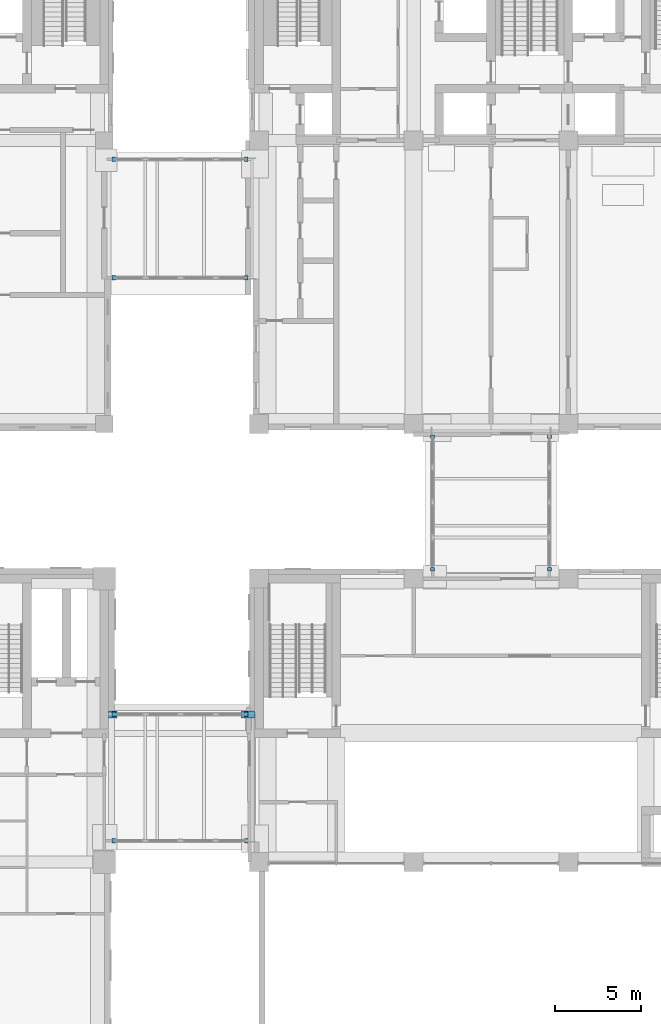
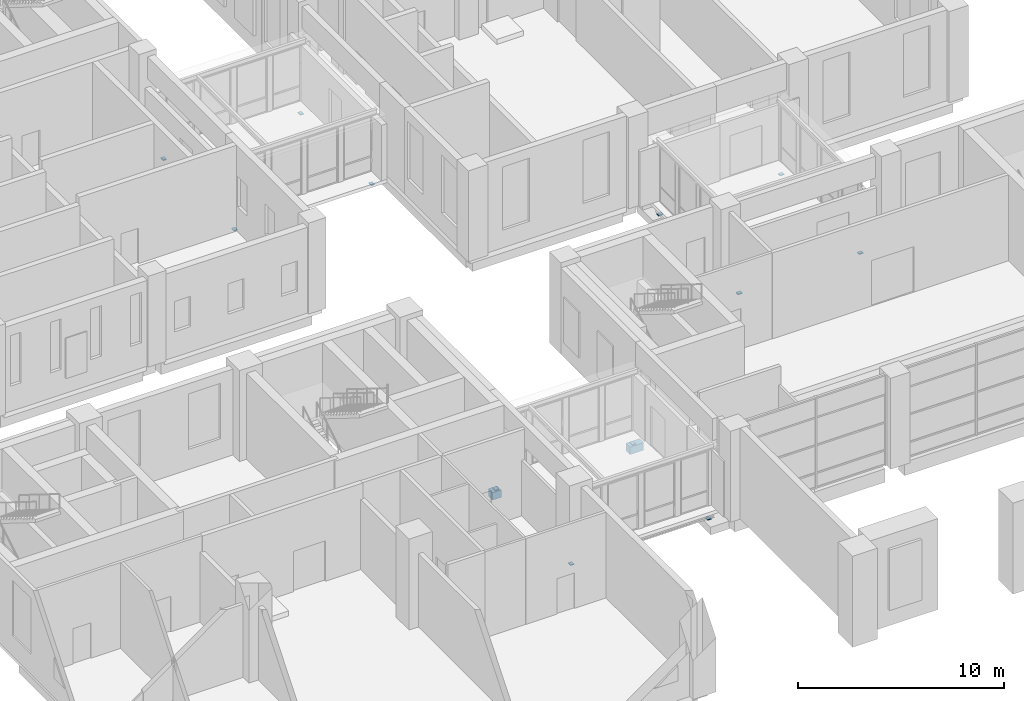
# One storey, part 21 of 52: 14 members.
"""IFC4 building model written with IfcOpenShell, lengths in metres."""

from ifc_helpers import new_model, si_unit, direction, frame, origin, origin_2d, place, context, subcontext, project, spatial, rectangle, extrude, material, material_profile, profile_set, type_object, element, save


model = new_model("IFC4")

# Units and contexts
model_context = context("Model", 3, precision=1e-05, world=origin(), true_north=direction((0.0, 1.0)))
body_context = subcontext(model_context, "Body", "Model", "MODEL_VIEW")
ifc_project = project(units=[si_unit("LENGTHUNIT", "METRE"), si_unit("AREAUNIT", "SQUARE_METRE"), si_unit("VOLUMEUNIT", "CUBIC_METRE"), si_unit("PLANEANGLEUNIT", "RADIAN"), si_unit("MASSUNIT", "GRAM", prefix="KILO")], contexts=[model_context])

# Site, building, storey
site_placement = place(None, origin())
site = spatial("IfcSite", under=ifc_project, at=site_placement, CompositionType="ELEMENT")
building_placement = place(site_placement, origin())
building = spatial("IfcBuilding", under=site, at=building_placement, Name="Aurelan Courthouse", CompositionType="ELEMENT")
storey_placement = place(building_placement, frame((0.0, 0.0, 6.60009765625)))
storey = spatial("IfcBuildingStorey", under=building, at=storey_placement, Name="L01", CompositionType="ELEMENT", Elevation=6.60009765625)

# Members
ifc_material_1 = material(Name="Steel-laminated elastomeric bearing, S355 steel shims", Category="steel")
ifc_material_profile_1 = material_profile(ifc_material_1, rectangle(XDim=0.199951171875, YDim=0.25, at=origin_2d()), Name="PL 200 x 250")
ifc_profile_set_1 = profile_set([ifc_material_profile_1], Name="Steel-laminated elastomeric bearing, S355 steel shims")
member_type_1 = type_object("IfcMemberType", Name="Bridge fixed bearing 200 x 250 x 50", PredefinedType="USERDEFINED", material=ifc_profile_set_1)
for number, where, z_axis, x_axis, name in (
    (1, (27.550048828125, 13.25, -0.800048828125), (0.0, 0.0, 1.0), (1.0, 0.0, 0.0), "Bridge fixed bearing BRF-1"),
    (2, (27.550048828125, 20.60009765625, -0.800048828125), (0.0, 0.0, 1.0), (1.0, 0.0, 0.0), "Bridge fixed bearing BRF-2"),
    (3, (46.10009765625, 29.050048828125, -0.800048828125), (0.0, 0.0, 1.0), (0.0, 1.0, 0.0), "Bridge fixed bearing BRF-5"),
    (4, (52.89990234375, 29.050048828125, -0.800048828125), (0.0, 0.0, 1.0), (0.0, 1.0, 0.0), "Bridge fixed bearing BRF-6"),
    (5, (27.550048828125, 46.0, -0.800048828125), (0.0, 0.0, 1.0), (1.0, 0.0, 0.0), "Bridge fixed bearing BRF-7"),
    (6, (27.550048828125, 52.89990234375, -0.800048828125), (0.0, 0.0, 1.0), (1.0, 0.0, 0.0), "Bridge fixed bearing BRF-8"),
):
    element("IfcMember", number, at=place(storey_placement, frame(where, z_axis=z_axis, x_axis=x_axis)), inside=storey, type_object=member_type_1, Name=name, ObjectType="BEARING", PredefinedType="USERDEFINED", context=body_context, shape_type="SweptSolid", body=[
        extrude(rectangle(XDim=0.199951171875, YDim=0.25, at=origin_2d()), origin(), (0.0, 0.0, 1.0), 0.050048828125),
    ])
ifc_material_2 = material(Name="Stainless steel and PTFE sliding bearing, S355 backing plate", Category="steel")
ifc_material_profile_2 = material_profile(ifc_material_2, rectangle(XDim=0.199951171875, YDim=0.25, at=origin_2d()), Name="PL 200 x 250")
ifc_profile_set_2 = profile_set([ifc_material_profile_2], Name="Stainless steel and PTFE sliding bearing, S355 backing plate")
member_type_2 = type_object("IfcMemberType", Name="Bridge sliding bearing 200 x 250 x 50", PredefinedType="USERDEFINED", material=ifc_profile_set_2)
for number, where, z_axis, x_axis, name in (
    (7, (35.25, 13.25, -0.800048828125), (0.0, 0.0, 1.0), (1.0, 0.0, 0.0), "Bridge sliding bearing BRS-1"),
    (8, (35.25, 20.60009765625, -0.800048828125), (0.0, 0.0, 1.0), (1.0, 0.0, 0.0), "Bridge sliding bearing BRS-2"),
    (9, (46.10009765625, 36.75, -0.800048828125), (0.0, 0.0, 1.0), (0.0, 1.0, 0.0), "Bridge sliding bearing BRS-5"),
    (10, (52.89990234375, 36.75, -0.800048828125), (0.0, 0.0, 1.0), (0.0, 1.0, 0.0), "Bridge sliding bearing BRS-6"),
    (11, (35.25, 46.0, -0.800048828125), (0.0, 0.0, 1.0), (1.0, 0.0, 0.0), "Bridge sliding bearing BRS-7"),
    (12, (35.25, 52.89990234375, -0.800048828125), (0.0, 0.0, 1.0), (1.0, 0.0, 0.0), "Bridge sliding bearing BRS-8"),
):
    element("IfcMember", number, at=place(storey_placement, frame(where, z_axis=z_axis, x_axis=x_axis)), inside=storey, type_object=member_type_2, Name=name, ObjectType="BEARING", PredefinedType="USERDEFINED", context=body_context, shape_type="SweptSolid", body=[
        extrude(rectangle(XDim=0.199951171875, YDim=0.25, at=origin_2d()), origin(), (0.0, 0.0, 1.0), 0.050048828125),
    ])
ifc_material_3 = material(Name="Concrete C50", Category="concrete")
member_type_3 = type_object("IfcMemberType", Name="Corbel 500 x 400 x 450", PredefinedType="USERDEFINED", material=ifc_material_3)
member_1_placement = place(storey_placement, frame((27.5, 20.60009765625, -1.25), z_axis=(0.0, 0.0, 1.0), x_axis=(1.0, 0.0, 0.0)))
element("IfcMember", 13, at=member_1_placement, inside=storey, type_object=member_type_3, Name="Corbel CO-3", ObjectType="CORBEL", PredefinedType="USERDEFINED", context=body_context, shape_type="SweptSolid", body=[
    extrude(rectangle(XDim=0.5, YDim=0.39990234375, at=origin_2d()), origin(), (0.0, 0.0, 1.0), 0.449951171875),
])
member_type_4 = type_object("IfcMemberType", Name="Corbel 775 x 400 x 450", PredefinedType="USERDEFINED", material=ifc_material_3)
member_2_placement = place(storey_placement, frame((35.362548828125, 20.60009765625, -1.25), z_axis=(0.0, 0.0, 1.0), x_axis=(1.0, 0.0, 0.0)))
element("IfcMember", 14, at=member_2_placement, inside=storey, type_object=member_type_4, Name="Corbel CO-4", ObjectType="CORBEL", PredefinedType="USERDEFINED", context=body_context, shape_type="SweptSolid", body=[
    extrude(rectangle(XDim=0.77490234375, YDim=0.39990234375, at=origin_2d()), origin(), (0.0, 0.0, 1.0), 0.449951171875),
])

save(model, "model.ifc")
